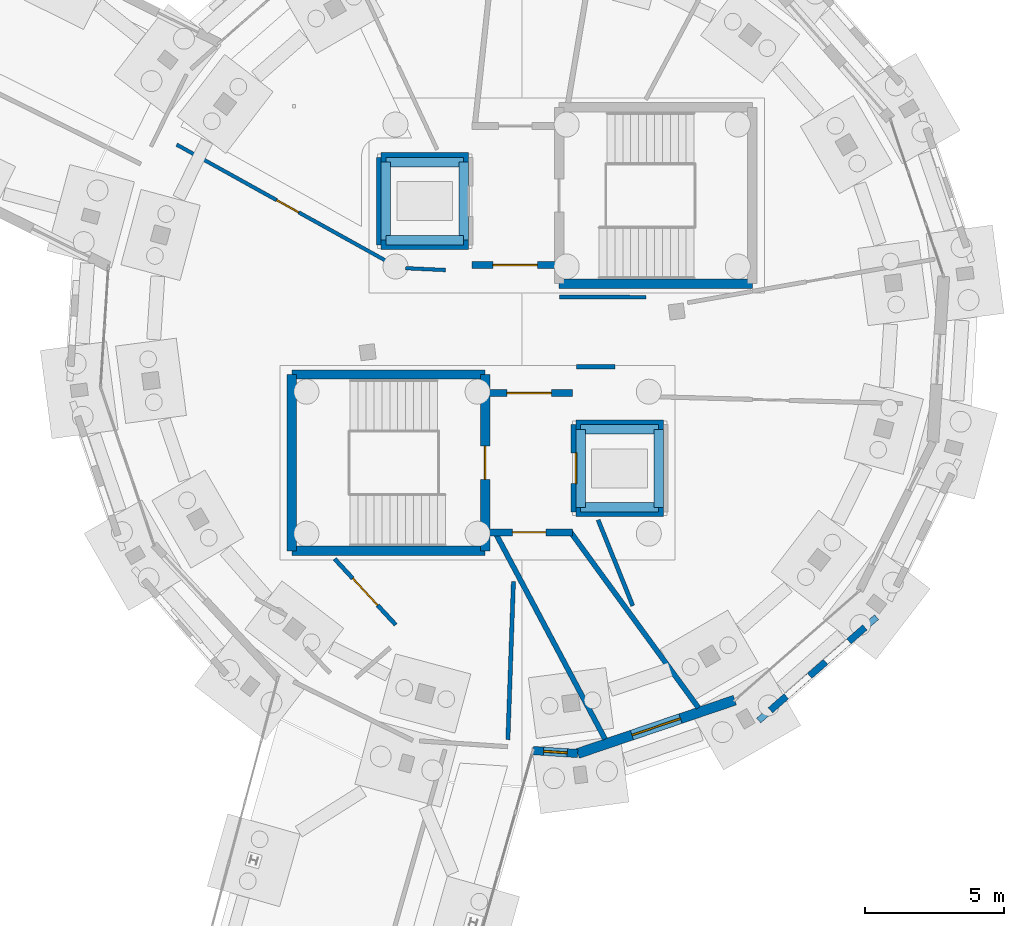
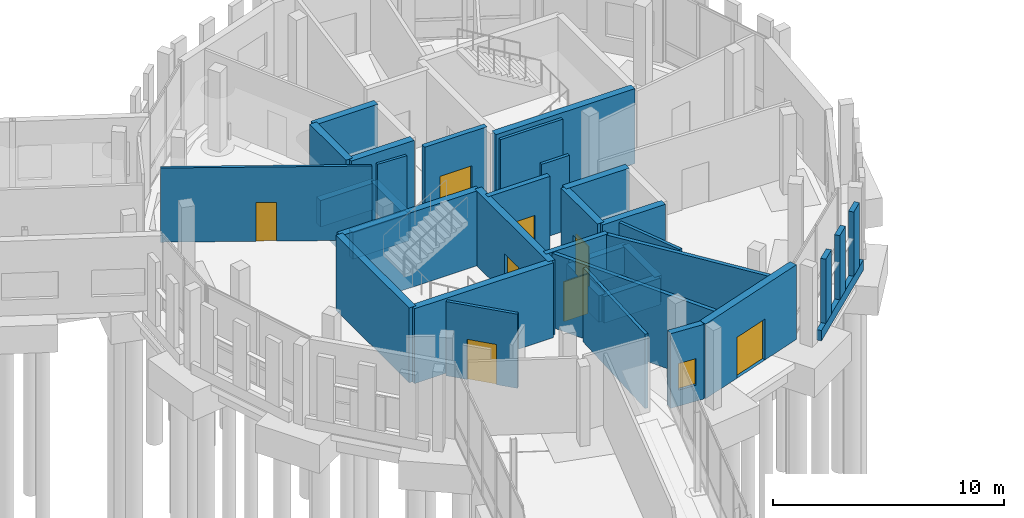
# One storey, part 93 of 113: 37 walls, 8 doors, 1 window, 9 openings.
"""IFC4 building model written with IfcOpenShell, lengths in metres."""

from ifc_helpers import new_model, si_unit, direction, frame, frame_2d, origin, place, context, subcontext, project, spatial, rectangle, extrude, material, layer, layer_set, type_object, element, fill, save


model = new_model("IFC4")

# Units and contexts
model_context = context("Model", 3, precision=1e-05, world=origin(), true_north=direction((0.0, 1.0)))
body_context = subcontext(model_context, "Body", "Model", "MODEL_VIEW")
ifc_project = project(units=[si_unit("LENGTHUNIT", "METRE"), si_unit("AREAUNIT", "SQUARE_METRE"), si_unit("VOLUMEUNIT", "CUBIC_METRE"), si_unit("PLANEANGLEUNIT", "RADIAN"), si_unit("MASSUNIT", "GRAM", prefix="KILO")], contexts=[model_context])

# Site, building, storey
site_placement = place(None, origin())
site = spatial("IfcSite", under=ifc_project, at=site_placement, CompositionType="ELEMENT")
building_placement = place(site_placement, origin())
building = spatial("IfcBuilding", under=site, at=building_placement, Name="Wrenclough Park School", CompositionType="ELEMENT")
storey_placement = place(building_placement, origin())
storey = spatial("IfcBuildingStorey", under=building, at=storey_placement, Name="L00", CompositionType="ELEMENT", Elevation=0.0)

# Walls
ifc_material_1 = material(Name="Perforated open-bond Staffordshire and Manchester brick screen pier", Category="masonry")
ifc_layer_1 = layer(ifc_material_1, 0.2451171875)
ifc_layer_set_1 = layer_set([ifc_layer_1], Name="Perforated open-bond Staffordshire and Manchester brick screen pier")
wall_type_1 = type_object("IfcWallType", Name="ENV-BS-PR245", PredefinedType="ELEMENTEDWALL", material=ifc_layer_set_1)
wall_1_placement = place(storey_placement, frame((183.418701171875, 79.906005859375, 0.550048828125), z_axis=(0.0, 0.0, 1.0), x_axis=(0.751859704857, 0.659323125798, 0.0)))
element("IfcWall", 1, at=wall_1_placement, inside=storey, type_object=wall_type_1, Name="D5 L00 perforated brick screen pier 0160", PredefinedType="ELEMENTEDWALL", context=body_context, shape_type="SweptSolid", body=[
    extrude(rectangle(XDim=0.759765625, YDim=0.2451171875, at=frame_2d((0.3798828125, 0.0))), origin(), (0.0, 0.0, 1.0), 3.389892578125),
])
wall_2_placement = place(storey_placement, frame((184.830078125, 81.143798828125, 0.550048828125), z_axis=(0.0, 0.0, 1.0), x_axis=(0.751840109951, 0.659345470196, 0.0)))
element("IfcWall", 2, at=wall_2_placement, inside=storey, type_object=wall_type_1, Name="D5 L00 perforated brick screen pier 0161", PredefinedType="ELEMENTEDWALL", context=body_context, shape_type="SweptSolid", body=[
    extrude(rectangle(XDim=0.76025390625, YDim=0.2451171875, at=frame_2d((0.380126953125, 0.0))), origin(), (0.0, 0.0, 1.0), 3.389892578125),
])
wall_3_placement = place(storey_placement, frame((186.24169921875, 82.381591796875, 0.550048828125), z_axis=(0.0, 0.0, 1.0), x_axis=(0.751700438565, 0.659504701015, 0.0)))
element("IfcWall", 3, at=wall_3_placement, inside=storey, type_object=wall_type_1, Name="D5 L00 perforated brick screen pier 0162", PredefinedType="ELEMENTEDWALL", context=body_context, shape_type="SweptSolid", body=[
    extrude(rectangle(XDim=0.760009765625, YDim=0.2451171875, at=frame_2d((0.3798828125, 0.0))), origin(), (0.0, 0.0, 1.0), 3.389892578125),
])
ifc_material_2 = material(Name="Open-bond Manchester multi-stock brick spandrel screen", Category="masonry")
ifc_layer_2 = layer(ifc_material_2, 0.22509765625)
ifc_layer_set_2 = layer_set([ifc_layer_2], Name="Open-bond Manchester multi-stock brick spandrel screen")
wall_type_2 = type_object("IfcWallType", Name="ENV-BS-SP225", PredefinedType="ELEMENTEDWALL", material=ifc_layer_set_2)
wall_4_placement = place(storey_placement, frame((182.998779296875, 79.53759765625, 0.0), z_axis=(0.0, 0.0, 1.0), x_axis=(0.751824330714, 0.659363462551, 0.0)))
element("IfcWall", 4, at=wall_4_placement, inside=storey, type_object=wall_type_2, Name="D5 L00 open-bond brick screen spandrel 0046", PredefinedType="ELEMENTEDWALL", context=body_context, shape_type="SweptSolid", body=[
    extrude(rectangle(XDim=5.632080078125, YDim=0.22509765625, at=frame_2d((2.81591796875, 0.0))), origin(), (0.0, 0.0, 1.0), 0.550048828125),
])

# Wall, opening, window
ifc_material_3 = material(Name="Manchester multi-stock brick and Concrete C32/40 inner leaf", Category="masonry")
ifc_layer_3 = layer(ifc_material_3, 0.300048828125)
ifc_layer_set_3 = layer_set([ifc_layer_3], Name="Manchester multi-stock brick and Concrete C32/40 inner leaf")
wall_type_3 = type_object("IfcWallType", Name="ENV-EW-300", PredefinedType="SOLIDWALL", material=ifc_layer_set_3)
wall_5_placement = place(storey_placement, frame((176.494140625, 78.35302734375, 0.0), z_axis=(0.0, 0.0, 1.0), x_axis=(-0.997862476256, 0.06534889808, 0.0)))
wall_5 = element("IfcWall", 5, at=wall_5_placement, inside=storey, type_object=wall_type_3, Name="L00 insulated brick external wall 0032", PredefinedType="SOLIDWALL", context=body_context, shape_type="SweptSolid", body=[
    extrude(rectangle(XDim=1.6064453125, YDim=0.300048828125, at=frame_2d((0.80322265625, 0.0))), origin(), (0.0, 0.0, 1.0), 3.93994140625),
])
opening_1_placement = place(wall_5_placement, frame((0.378173828125, 0.0, 0.85009765625)))
opening_1 = element("IfcOpeningElement", 6, at=opening_1_placement, cuts=wall_5, Name="Opening WN-01", PredefinedType="OPENING", context=body_context, shape_type="SweptSolid", body=[
    extrude(rectangle(XDim=0.85009765625, YDim=1.39990234375, at=frame_2d((0.425048828125, 0.699951171875))), frame((0.0, 0.159912109375, 0.0), z_axis=(0.0, -1.0, 0.0), x_axis=(1.0, 0.0, 0.0)), (0.0, 0.0, 1.0), 0.320068359375),
])
ifc_material_4 = material(Name="Thermally broken aluminium and double-glazed low-e glass", Category="aluminium")
window_type = type_object("IfcWindowType", Name="ENV-WN-01", PartitioningType="SINGLE_PANEL", PredefinedType="WINDOW", material=ifc_material_4)
window_placement = place(opening_1_placement, origin())
window = element("IfcWindow", 7, at=window_placement, inside=storey, type_object=window_type, Name="L00 scheduled facade window 0035", OverallHeight=1.39990234375, OverallWidth=0.85009765625, PartitioningType="SINGLE_PANEL", PredefinedType="WINDOW", context=body_context, shape_type="SweptSolid", body=[
    extrude(rectangle(XDim=0.85009765625, YDim=1.39990234375, at=frame_2d((0.425048828125, 0.699951171875))), frame((0.0, 0.030029296875, 0.0), z_axis=(0.0, -1.0, 0.0), x_axis=(1.0, 0.0, 0.0)), (0.0, 0.0, 1.0), 0.06005859375),
])
fill(opening_1, window)

# Wall, opening, door
ifc_material_5 = material(Name="Faceted courtyard brick-cavity wall Concrete C35/45", Category="masonry")
ifc_layer_4 = layer(ifc_material_5, 0.364990234375)
ifc_layer_set_4 = layer_set([ifc_layer_4], Name="Faceted courtyard brick-cavity wall Concrete C35/45")
wall_type_4 = type_object("IfcWallType", Name="ENV-EW-365", PredefinedType="SOLIDWALL", material=ifc_layer_set_4)
wall_6_placement = place(storey_placement, frame((182.138916015625, 80.26904296875, 0.0), z_axis=(0.0, 0.0, 1.0), x_axis=(-0.94693663561, -0.321420298269, 0.0)))
wall_6 = element("IfcWall", 8, at=wall_6_placement, inside=storey, type_object=wall_type_4, Name="L00 insulated brick external wall 0031", PredefinedType="SOLIDWALL", context=body_context, shape_type="SweptSolid", body=[
    extrude(rectangle(XDim=5.961181640625, YDim=0.364990234375, at=frame_2d((2.98046875, 0.0))), origin(), (0.0, 0.0, 1.0), 3.93994140625),
])
opening_2_placement = place(wall_6_placement, frame((2.060546875, 0.0, 0.0)))
opening_2 = element("IfcOpeningElement", 9, at=opening_2_placement, cuts=wall_6, Name="Opening EX-13", PredefinedType="OPENING", context=body_context, shape_type="SweptSolid", body=[
    extrude(rectangle(XDim=1.840087890625, YDim=2.159912109375, at=frame_2d((0.919921875, 1.080078125))), frame((0.0, 0.1923828125, 0.0), z_axis=(0.0, -1.0, 0.0), x_axis=(1.0, 0.0, 0.0)), (0.0, 0.0, 1.0), 0.385009765625),
])
ifc_material_6 = material(Name="Thermally broken powder-coated aluminium and laminated safety glass", Category="aluminium")
door_type_1 = type_object("IfcDoorType", Name="DR-EX184", OperationType="NOTDEFINED", PredefinedType="DOOR", material=ifc_material_6)
door_1_placement = place(opening_2_placement, origin())
door_1 = element("IfcDoor", 10, at=door_1_placement, inside=storey, type_object=door_type_1, Name="Pedestrian final exit door EX-13", OperationType="DOUBLE_DOOR_SINGLE_SWING", OverallHeight=2.159912109375, OverallWidth=1.840087890625, PredefinedType="DOOR", context=body_context, shape_type="SweptSolid", body=[
    extrude(rectangle(XDim=1.840087890625, YDim=2.159912109375, at=frame_2d((0.919921875, 1.080078125))), frame((0.0, 0.02490234375, 0.0), z_axis=(0.0, -1.0, 0.0), x_axis=(1.0, 0.0, 0.0)), (0.0, 0.0, 1.0), 0.050048828125),
])
fill(opening_2, door_1)

ifc_material_7 = material(Name="Concrete C35/45", Category="concrete")
ifc_layer_5 = layer(ifc_material_7, 0.25)
ifc_layer_set_5 = layer_set([ifc_layer_5], Name="Concrete C35/45")
wall_type_5 = type_object("IfcWallType", Name="INT-CW-250", PredefinedType="SHEAR", material=ifc_layer_set_5)
wall_7_placement = place(storey_placement, frame((173.199951171875, 86.300048828125, 0.0), z_axis=(0.0, 0.0, 1.0), x_axis=(1.0, 0.0, 0.0)))
wall_7 = element("IfcWall", 11, at=wall_7_placement, inside=storey, type_object=wall_type_5, Name="Core C5 L00 lobby fire wall south", PredefinedType="SHEAR", context=body_context, shape_type="SweptSolid", body=[
    extrude(rectangle(XDim=3.10009765625, YDim=0.25, at=frame_2d((1.550048828125, 0.0))), origin(), (0.0, 0.0, 1.0), 3.949951171875),
])
opening_3_placement = place(wall_7_placement, frame((0.949951171875, 0.0, 0.0)))
opening_3 = element("IfcOpeningElement", 12, at=opening_3_placement, cuts=wall_7, Name="Opening DEP-C5-L00", PredefinedType="OPENING", context=body_context, shape_type="SweptSolid", body=[
    extrude(rectangle(XDim=1.199951171875, YDim=2.10009765625, at=frame_2d((0.60009765625, 1.050048828125))), frame((0.0, 0.135009765625, 0.0), z_axis=(0.0, -1.0, 0.0), x_axis=(1.0, 0.0, 0.0)), (0.0, 0.0, 1.0), 0.27001953125),
])
ifc_material_8 = material(Name="Solid-core hardwood firefighting stair door assembly", Category="wood")
door_type_2 = type_object("IfcDoorType", Name="INT-DR-FF120", OperationType="NOTDEFINED", PredefinedType="DOOR", material=ifc_material_8)
door_2_placement = place(opening_3_placement, frame((1.199951171875, 0.0, 0.0), z_axis=(0.0, 0.0, 1.0), x_axis=(-1.0, 0.0, 0.0)))
door_2 = element("IfcDoor", 13, at=door_2_placement, inside=storey, type_object=door_type_2, Name="Core C5 L00 protected exit passageway fire door", OperationType="SINGLE_SWING_LEFT", OverallHeight=2.10009765625, OverallWidth=1.199951171875, PredefinedType="DOOR", context=body_context, shape_type="SweptSolid", body=[
    extrude(rectangle(XDim=1.199951171875, YDim=2.10009765625, at=frame_2d((0.60009765625, 1.050048828125))), frame((0.0, 0.02490234375, 0.0), z_axis=(0.0, -1.0, 0.0), x_axis=(1.0, 0.0, 0.0)), (0.0, 0.0, 1.0), 0.050048828125),
])
fill(opening_3, door_2)

wall_8_placement = place(storey_placement, frame((176.300048828125, 91.300048828125, 0.0), z_axis=(0.0, 0.0, 1.0), x_axis=(-1.0, 0.0, 0.0)))
wall_8 = element("IfcWall", 14, at=wall_8_placement, inside=storey, type_object=wall_type_5, Name="Core C5 L00 lobby fire wall north", PredefinedType="SHEAR", context=body_context, shape_type="SweptSolid", body=[
    extrude(rectangle(XDim=3.10009765625, YDim=0.25, at=frame_2d((1.550048828125, 0.0))), origin(), (0.0, 0.0, 1.0), 3.949951171875),
])
opening_4_placement = place(wall_8_placement, frame((0.75, 0.0, 0.0)))
opening_4 = element("IfcOpeningElement", 15, at=opening_4_placement, cuts=wall_8, Name="Opening DLB-C5-L00", PredefinedType="OPENING", context=body_context, shape_type="SweptSolid", body=[
    extrude(rectangle(XDim=1.60009765625, YDim=2.14990234375, at=frame_2d((0.800048828125, 1.074951171875))), frame((0.0, 0.135009765625, 0.0), z_axis=(0.0, -1.0, 0.0), x_axis=(1.0, 0.0, 0.0)), (0.0, 0.0, 1.0), 0.27001953125),
])
ifc_material_9 = material(Name="Double-leaf firefighting lobby door assembly", Category="wood")
door_type_3 = type_object("IfcDoorType", Name="INT-DR-FF160", OperationType="NOTDEFINED", PredefinedType="DOOR", material=ifc_material_9)
door_3_placement = place(opening_4_placement, frame((1.60009765625, 0.0, 0.0), z_axis=(0.0, 0.0, 1.0), x_axis=(-1.0, 0.0, 0.0)))
door_3 = element("IfcDoor", 16, at=door_3_placement, inside=storey, type_object=door_type_3, Name="Core C5 L00 protected lobby fire door", OperationType="DOUBLE_DOOR_SINGLE_SWING", OverallHeight=2.14990234375, OverallWidth=1.60009765625, PredefinedType="DOOR", context=body_context, shape_type="SweptSolid", body=[
    extrude(rectangle(XDim=1.60009765625, YDim=2.14990234375, at=frame_2d((0.800048828125, 1.074951171875))), frame((0.0, 0.02490234375, 0.0), z_axis=(0.0, -1.0, 0.0), x_axis=(1.0, 0.0, 0.0)), (0.0, 0.0, 1.0), 0.050048828125),
])
fill(opening_4, door_3)

wall_9_placement = place(storey_placement, frame((172.699951171875, 95.89990234375, 0.0), z_axis=(0.0, 0.0, 1.0), x_axis=(1.0, 0.0, 0.0)))
wall_9 = element("IfcWall", 17, at=wall_9_placement, inside=storey, type_object=wall_type_5, Name="Core C6 L00 lobby fire wall south", PredefinedType="SHEAR", context=body_context, shape_type="SweptSolid", body=[
    extrude(rectangle(XDim=3.10009765625, YDim=0.25, at=frame_2d((1.550048828125, 0.0))), origin(), (0.0, 0.0, 1.0), 3.949951171875),
])
opening_5_placement = place(wall_9_placement, frame((0.75, 0.0, 0.0)))
opening_5 = element("IfcOpeningElement", 18, at=opening_5_placement, cuts=wall_9, Name="Opening DLB-C6-L00", PredefinedType="OPENING", context=body_context, shape_type="SweptSolid", body=[
    extrude(rectangle(XDim=1.60009765625, YDim=2.14990234375, at=frame_2d((0.800048828125, 1.074951171875))), frame((0.0, 0.135009765625, 0.0), z_axis=(0.0, -1.0, 0.0), x_axis=(1.0, 0.0, 0.0)), (0.0, 0.0, 1.0), 0.27001953125),
])
door_4_placement = place(opening_5_placement, frame((1.60009765625, 0.0, 0.0), z_axis=(0.0, 0.0, 1.0), x_axis=(-1.0, 0.0, 0.0)))
door_4 = element("IfcDoor", 19, at=door_4_placement, inside=storey, type_object=door_type_3, Name="Core C6 L00 protected lobby fire door", OperationType="DOUBLE_DOOR_SINGLE_SWING", OverallHeight=2.14990234375, OverallWidth=1.60009765625, PredefinedType="DOOR", context=body_context, shape_type="SweptSolid", body=[
    extrude(rectangle(XDim=1.60009765625, YDim=2.14990234375, at=frame_2d((0.800048828125, 1.074951171875))), frame((0.0, 0.02490234375, 0.0), z_axis=(0.0, -1.0, 0.0), x_axis=(1.0, 0.0, 0.0)), (0.0, 0.0, 1.0), 0.050048828125),
])
fill(opening_5, door_4)

# Walls
ifc_material_10 = material(Name="Concrete C40/50", Category="concrete")
ifc_layer_6 = layer(ifc_material_10, 0.340087890625)
ifc_layer_set_6 = layer_set([ifc_layer_6], Name="Concrete C40/50")
wall_type_6 = type_object("IfcWallType", Name="INT-CW-340", PredefinedType="SHEAR", material=ifc_layer_set_6)
wall_10_placement = place(storey_placement, frame((176.60009765625, 87.199951171875, -1.39990234375), z_axis=(0.0, 0.0, 1.0), x_axis=(1.0, 0.0, 0.0)))
element("IfcWall", 20, at=wall_10_placement, inside=storey, type_object=wall_type_6, Name="Lift LFT-01 concrete pit wall 1", PredefinedType="SHEAR", context=body_context, shape_type="SweptSolid", body=[
    extrude(rectangle(XDim=2.7998046875, YDim=0.340087890625, at=frame_2d((1.39990234375, 0.0))), origin(), (0.0, 0.0, 1.0), 1.39990234375),
])
wall_11_placement = place(storey_placement, frame((179.39990234375, 87.199951171875, -1.39990234375), z_axis=(0.0, 0.0, 1.0), x_axis=(0.0, 1.0, 0.0)))
element("IfcWall", 21, at=wall_11_placement, inside=storey, type_object=wall_type_6, Name="Lift LFT-01 concrete pit wall 2", PredefinedType="SHEAR", context=body_context, shape_type="SweptSolid", body=[
    extrude(rectangle(XDim=2.800048828125, YDim=0.340087890625, at=frame_2d((1.39990234375, 0.0))), origin(), (0.0, 0.0, 1.0), 1.39990234375),
])
wall_12_placement = place(storey_placement, frame((179.39990234375, 90.0, -1.39990234375), z_axis=(0.0, 0.0, 1.0), x_axis=(-1.0, 0.0, 0.0)))
element("IfcWall", 22, at=wall_12_placement, inside=storey, type_object=wall_type_6, Name="Lift LFT-01 concrete pit wall 3", PredefinedType="SHEAR", context=body_context, shape_type="SweptSolid", body=[
    extrude(rectangle(XDim=2.7998046875, YDim=0.340087890625, at=frame_2d((1.39990234375, 0.0))), origin(), (0.0, 0.0, 1.0), 1.39990234375),
])
wall_13_placement = place(storey_placement, frame((176.60009765625, 90.0, -1.39990234375), z_axis=(0.0, 0.0, 1.0), x_axis=(0.0, -1.0, 0.0)))
element("IfcWall", 23, at=wall_13_placement, inside=storey, type_object=wall_type_6, Name="Lift LFT-01 concrete pit wall 4", PredefinedType="SHEAR", context=body_context, shape_type="SweptSolid", body=[
    extrude(rectangle(XDim=2.800048828125, YDim=0.340087890625, at=frame_2d((1.39990234375, 0.0))), origin(), (0.0, 0.0, 1.0), 1.39990234375),
])
wall_14_placement = place(storey_placement, frame((166.22998046875, 85.6298828125, 0.0), z_axis=(0.0, 0.0, 1.0), x_axis=(1.0, 0.0, 0.0)))
element("IfcWall", 24, at=wall_14_placement, inside=storey, type_object=wall_type_6, Name="Core C5 L00 south shear wall", PredefinedType="SHEAR", context=body_context, shape_type="SweptSolid", body=[
    extrude(rectangle(XDim=6.93994140625, YDim=0.340087890625, at=frame_2d((3.469970703125, 0.0))), origin(), (0.0, 0.0, 1.0), 3.949951171875),
])

# Wall, opening, door
wall_15_placement = place(storey_placement, frame((173.169921875, 85.6298828125, 0.0), z_axis=(0.0, 0.0, 1.0), x_axis=(0.0, 1.0, 0.0)))
wall_15 = element("IfcWall", 25, at=wall_15_placement, inside=storey, type_object=wall_type_6, Name="Core C5 L00 east shear wall", PredefinedType="SHEAR", context=body_context, shape_type="SweptSolid", body=[
    extrude(rectangle(XDim=6.340087890625, YDim=0.340087890625, at=frame_2d((3.169921875, 0.0))), origin(), (0.0, 0.0, 1.0), 3.949951171875),
])
opening_6_placement = place(wall_15_placement, frame((2.570068359375, 0.0, 0.0)))
opening_6 = element("IfcOpeningElement", 26, at=opening_6_placement, cuts=wall_15, Name="Opening DST-C5-L00", PredefinedType="OPENING", context=body_context, shape_type="SweptSolid", body=[
    extrude(rectangle(XDim=1.199951171875, YDim=2.10009765625, at=frame_2d((0.60009765625, 1.050048828125))), frame((0.0, 0.179931640625, 0.0), z_axis=(0.0, -1.0, 0.0), x_axis=(1.0, 0.0, 0.0)), (0.0, 0.0, 1.0), 0.360107421875),
])
door_5_placement = place(opening_6_placement, frame((1.199951171875, 0.0, 0.0), z_axis=(0.0, 0.0, 1.0), x_axis=(-1.0, 0.0, 0.0)))
door_5 = element("IfcDoor", 27, at=door_5_placement, inside=storey, type_object=door_type_2, Name="Stair ST-05 L00 fire door", OperationType="SINGLE_SWING_LEFT", OverallHeight=2.10009765625, OverallWidth=1.199951171875, PredefinedType="DOOR", context=body_context, shape_type="SweptSolid", body=[
    extrude(rectangle(XDim=1.199951171875, YDim=2.10009765625, at=frame_2d((0.60009765625, 1.050048828125))), frame((0.0, 0.02490234375, 0.0), z_axis=(0.0, -1.0, 0.0), x_axis=(1.0, 0.0, 0.0)), (0.0, 0.0, 1.0), 0.050048828125),
])
fill(opening_6, door_5)

# Walls
wall_16_placement = place(storey_placement, frame((173.169921875, 91.969970703125, 0.0), z_axis=(0.0, 0.0, 1.0), x_axis=(-1.0, 0.0, 0.0)))
element("IfcWall", 28, at=wall_16_placement, inside=storey, type_object=wall_type_6, Name="Core C5 L00 north shear wall", PredefinedType="SHEAR", context=body_context, shape_type="SweptSolid", body=[
    extrude(rectangle(XDim=6.93994140625, YDim=0.340087890625, at=frame_2d((3.469970703125, 0.0))), origin(), (0.0, 0.0, 1.0), 3.949951171875),
])
wall_17_placement = place(storey_placement, frame((166.22998046875, 91.969970703125, 0.0), z_axis=(0.0, 0.0, 1.0), x_axis=(0.0, -1.0, 0.0)))
element("IfcWall", 29, at=wall_17_placement, inside=storey, type_object=wall_type_6, Name="Core C5 L00 west shear wall", PredefinedType="SHEAR", context=body_context, shape_type="SweptSolid", body=[
    extrude(rectangle(XDim=6.340087890625, YDim=0.340087890625, at=frame_2d((3.169921875, 0.0))), origin(), (0.0, 0.0, 1.0), 3.949951171875),
])
for number, where, z_axis, x_axis, name in (
    (30, (176.429931640625, 87.030029296875, 0.0), (0.0, 0.0, 1.0), (1.0, 0.0, 0.0), "Lift LFT-01 L00 south shaft wall"),
    (31, (179.570068359375, 90.169921875, 0.0), (0.0, 0.0, 1.0), (-1.0, 0.0, 0.0), "Lift LFT-01 L00 north shaft wall"),
):
    element("IfcWall", number, at=place(storey_placement, frame(where, z_axis=z_axis, x_axis=x_axis)), inside=storey, type_object=wall_type_6, Name=name, PredefinedType="SHEAR", context=body_context, shape_type="SweptSolid", body=[
        extrude(rectangle(XDim=3.14013671875, YDim=0.340087890625, at=frame_2d((1.570068359375, 0.0))), origin(), (0.0, 0.0, 1.0), 3.949951171875),
    ])

# Wall, opening, door
wall_18_placement = place(storey_placement, frame((176.429931640625, 90.169921875, 0.0), z_axis=(0.0, 0.0, 1.0), x_axis=(0.0, -1.0, 0.0)))
wall_18 = element("IfcWall", 32, at=wall_18_placement, inside=storey, type_object=wall_type_6, Name="Lift LFT-01 L00 west shaft wall", PredefinedType="SHEAR", context=body_context, shape_type="SweptSolid", body=[
    extrude(rectangle(XDim=3.139892578125, YDim=0.340087890625, at=frame_2d((1.56982421875, 0.0))), origin(), (0.0, 0.0, 1.0), 3.949951171875),
])
opening_7_placement = place(wall_18_placement, frame((1.02001953125, 0.0, 0.0)))
opening_7 = element("IfcOpeningElement", 33, at=opening_7_placement, cuts=wall_18, Name="Opening LD-01-L00", PredefinedType="OPENING", context=body_context, shape_type="SweptSolid", body=[
    extrude(rectangle(XDim=1.10009765625, YDim=2.10009765625, at=frame_2d((0.550048828125, 1.050048828125))), frame((0.0, 0.179931640625, 0.0), z_axis=(0.0, -1.0, 0.0), x_axis=(1.0, 0.0, 0.0)), (0.0, 0.0, 1.0), 0.360107421875),
])
ifc_material_11 = material(Name="Brushed stainless steel", Category="steel")
door_type_4 = type_object("IfcDoorType", Name="INT-DR-LD110", OperationType="NOTDEFINED", PredefinedType="DOOR", material=ifc_material_11)
door_6_placement = place(opening_7_placement, frame((1.10009765625, 0.0, 0.0), z_axis=(0.0, 0.0, 1.0), x_axis=(-1.0, 0.0, 0.0)))
door_6 = element("IfcDoor", 34, at=door_6_placement, inside=storey, type_object=door_type_4, Name="Lift LFT-01 L00 sliding landing door", OperationType="DOUBLE_DOOR_SLIDING", OverallHeight=2.10009765625, OverallWidth=1.10009765625, PredefinedType="DOOR", context=body_context, shape_type="SweptSolid", body=[
    extrude(rectangle(XDim=1.10009765625, YDim=2.10009765625, at=frame_2d((0.550048828125, 1.050048828125))), frame((0.0, 0.02490234375, 0.0), z_axis=(0.0, -1.0, 0.0), x_axis=(1.0, 0.0, 0.0)), (0.0, 0.0, 1.0), 0.050048828125),
])
fill(opening_7, door_6)

# Walls
wall_19_placement = place(storey_placement, frame((169.60009765625, 96.800048828125, -1.39990234375), z_axis=(0.0, 0.0, 1.0), x_axis=(1.0, 0.0, 0.0)))
element("IfcWall", 35, at=wall_19_placement, inside=storey, type_object=wall_type_6, Name="Lift LFT-02 concrete pit wall 1", PredefinedType="SHEAR", context=body_context, shape_type="SweptSolid", body=[
    extrude(rectangle(XDim=2.7998046875, YDim=0.340087890625, at=frame_2d((1.39990234375, 0.0))), origin(), (0.0, 0.0, 1.0), 1.39990234375),
])
wall_20_placement = place(storey_placement, frame((172.39990234375, 96.800048828125, -1.39990234375), z_axis=(0.0, 0.0, 1.0), x_axis=(0.0, 1.0, 0.0)))
element("IfcWall", 36, at=wall_20_placement, inside=storey, type_object=wall_type_6, Name="Lift LFT-02 concrete pit wall 2", PredefinedType="SHEAR", context=body_context, shape_type="SweptSolid", body=[
    extrude(rectangle(XDim=2.800048828125, YDim=0.340087890625, at=frame_2d((1.39990234375, 0.0))), origin(), (0.0, 0.0, 1.0), 1.39990234375),
])
wall_21_placement = place(storey_placement, frame((172.39990234375, 99.60009765625, -1.39990234375), z_axis=(0.0, 0.0, 1.0), x_axis=(-1.0, 0.0, 0.0)))
element("IfcWall", 37, at=wall_21_placement, inside=storey, type_object=wall_type_6, Name="Lift LFT-02 concrete pit wall 3", PredefinedType="SHEAR", context=body_context, shape_type="SweptSolid", body=[
    extrude(rectangle(XDim=2.7998046875, YDim=0.340087890625, at=frame_2d((1.39990234375, 0.0))), origin(), (0.0, 0.0, 1.0), 1.39990234375),
])
wall_22_placement = place(storey_placement, frame((169.60009765625, 99.60009765625, -1.39990234375), z_axis=(0.0, 0.0, 1.0), x_axis=(0.0, -1.0, 0.0)))
element("IfcWall", 38, at=wall_22_placement, inside=storey, type_object=wall_type_6, Name="Lift LFT-02 concrete pit wall 4", PredefinedType="SHEAR", context=body_context, shape_type="SweptSolid", body=[
    extrude(rectangle(XDim=2.800048828125, YDim=0.340087890625, at=frame_2d((1.39990234375, 0.0))), origin(), (0.0, 0.0, 1.0), 1.39990234375),
])
wall_23_placement = place(storey_placement, frame((175.830078125, 95.22998046875, 0.0), z_axis=(0.0, 0.0, 1.0), x_axis=(1.0, 0.0, 0.0)))
element("IfcWall", 39, at=wall_23_placement, inside=storey, type_object=wall_type_6, Name="Core C6 L00 south shear wall", PredefinedType="SHEAR", context=body_context, shape_type="SweptSolid", body=[
    extrude(rectangle(XDim=6.93994140625, YDim=0.340087890625, at=frame_2d((3.469970703125, 0.0))), origin(), (0.0, 0.0, 1.0), 3.949951171875),
])
for number, where, z_axis, x_axis, name in (
    (40, (169.429931640625, 96.6298828125, 0.0), (0.0, 0.0, 1.0), (1.0, 0.0, 0.0), "Lift LFT-02 L00 south shaft wall"),
    (41, (172.570068359375, 99.77001953125, 0.0), (0.0, 0.0, 1.0), (-1.0, 0.0, 0.0), "Lift LFT-02 L00 north shaft wall"),
    (42, (169.429931640625, 99.77001953125, 0.0), (0.0, 0.0, 1.0), (0.0, -1.0, 0.0), "Lift LFT-02 L00 west shaft wall"),
):
    element("IfcWall", number, at=place(storey_placement, frame(where, z_axis=z_axis, x_axis=x_axis)), inside=storey, type_object=wall_type_6, Name=name, PredefinedType="SHEAR", context=body_context, shape_type="SweptSolid", body=[
        extrude(rectangle(XDim=3.14013671875, YDim=0.340087890625, at=frame_2d((1.570068359375, 0.0))), origin(), (0.0, 0.0, 1.0), 3.949951171875),
    ])

# Wall, opening, door
ifc_material_12 = material(Name="Standard fire-rated room partition", Category="gypsum")
ifc_layer_7 = layer(ifc_material_12, 0.1298828125)
ifc_layer_set_7 = layer_set([ifc_layer_7], Name="Standard fire-rated room partition")
wall_type_7 = type_object("IfcWallType", Name="INT-PW-130", PredefinedType="PARTITIONING", material=ifc_layer_set_7)
wall_24_placement = place(storey_placement, frame((162.08740234375, 100.227783203125, 0.0), z_axis=(0.0, 0.0, 1.0), x_axis=(0.874404504476, -0.485197653077, 0.0)))
wall_24 = element("IfcWall", 43, at=wall_24_placement, inside=storey, type_object=wall_type_7, Name="L00 internal partition 0117", PredefinedType="PARTITIONING", context=body_context, shape_type="SweptSolid", body=[
    extrude(rectangle(XDim=9.125732421875, YDim=0.1298828125, at=frame_2d((4.56298828125, 0.0))), origin(), (0.0, 0.0, 1.0), 3.9150390625),
])
opening_8_placement = place(wall_24_placement, frame((4.11279296875, 0.0, 0.0)))
opening_8 = element("IfcOpeningElement", 44, at=opening_8_placement, cuts=wall_24, Name="Opening DR-L00-017", PredefinedType="OPENING", context=body_context, shape_type="SweptSolid", body=[
    extrude(rectangle(XDim=0.89990234375, YDim=2.050048828125, at=frame_2d((0.449951171875, 1.02490234375))), frame((0.0, 0.074951171875, 0.0), z_axis=(0.0, -1.0, 0.0), x_axis=(1.0, 0.0, 0.0)), (0.0, 0.0, 1.0), 0.14990234375),
])
ifc_material_13 = material(Name="Staff office fire-rated timber door assembly", Category="wood")
door_type_5 = type_object("IfcDoorType", Name="INT-DR-OFF090", OperationType="NOTDEFINED", PredefinedType="DOOR", material=ifc_material_13)
door_7_placement = place(opening_8_placement, origin())
door_7 = element("IfcDoor", 45, at=door_7_placement, inside=storey, type_object=door_type_5, Name="Main Reception and Administration Office door DR-L00-017", OperationType="SINGLE_SWING_RIGHT", OverallHeight=2.050048828125, OverallWidth=0.89990234375, PredefinedType="DOOR", context=body_context, shape_type="SweptSolid", body=[
    extrude(rectangle(XDim=0.89990234375, YDim=2.050048828125, at=frame_2d((0.449951171875, 1.02490234375))), frame((0.0, 0.02490234375, 0.0), z_axis=(0.0, -1.0, 0.0), x_axis=(1.0, 0.0, 0.0)), (0.0, 0.0, 1.0), 0.050048828125),
])
fill(opening_8, door_7)

# Walls
wall_25_placement = place(storey_placement, frame((170.31640625, 95.788330078125, 0.0), z_axis=(0.0, 0.0, 1.0), x_axis=(0.998914369118, -0.046584151481, 0.0)))
element("IfcWall", 46, at=wall_25_placement, inside=storey, type_object=wall_type_7, Name="L00 internal partition 0118", PredefinedType="PARTITIONING", context=body_context, shape_type="SweptSolid", body=[
    extrude(rectangle(XDim=1.4306640625, YDim=0.1298828125, at=frame_2d((0.71533203125, 0.0))), origin(), (0.0, 0.0, 1.0), 3.9150390625),
])
ifc_material_14 = material(Name="Protected corridor partition", Category="gypsum")
ifc_layer_8 = layer(ifc_material_14, 0.14990234375)
ifc_layer_set_8 = layer_set([ifc_layer_8], Name="Protected corridor partition")
wall_type_8 = type_object("IfcWallType", Name="INT-PW-150", PredefinedType="PARTITIONING", material=ifc_layer_set_8)
wall_26_placement = place(storey_placement, frame((177.229248046875, 86.7451171875, 0.0), z_axis=(0.0, 0.0, 1.0), x_axis=(0.37456373842, -0.927201167957, 0.0)))
element("IfcWall", 47, at=wall_26_placement, inside=storey, type_object=wall_type_8, Name="L00 internal partition 0119", PredefinedType="PARTITIONING", context=body_context, shape_type="SweptSolid", body=[
    extrude(rectangle(XDim=3.327392578125, YDim=0.14990234375, at=frame_2d((1.66357421875, 0.0))), origin(), (0.0, 0.0, 1.0), 3.9150390625),
])
wall_27_placement = place(storey_placement, frame((177.83642578125, 92.25, 0.0), z_axis=(0.0, 0.0, 1.0), x_axis=(-1.0, 0.0, 0.0)))
element("IfcWall", 48, at=wall_27_placement, inside=storey, type_object=wall_type_8, Name="L00 internal partition 0121", PredefinedType="PARTITIONING", context=body_context, shape_type="SweptSolid", body=[
    extrude(rectangle(XDim=1.385009765625, YDim=0.14990234375, at=frame_2d((0.6923828125, 0.0))), origin(), (0.0, 0.0, 1.0), 3.9150390625),
])
wall_28_placement = place(storey_placement, frame((173.98828125, 78.847900390625, 0.0), z_axis=(0.0, 0.0, 1.0), x_axis=(0.034928377701, 0.999389818055, 0.0)))
element("IfcWall", 49, at=wall_28_placement, inside=storey, type_object=wall_type_8, Name="L00 internal partition 0129", PredefinedType="PARTITIONING", context=body_context, shape_type="SweptSolid", body=[
    extrude(rectangle(XDim=5.6826171875, YDim=0.14990234375, at=frame_2d((2.84130859375, 0.0))), origin(), (0.0, 0.0, 1.0), 3.9150390625),
])

# Wall, opening, door
wall_29_placement = place(storey_placement, frame((167.763427734375, 85.344970703125, 0.0), z_axis=(0.0, 0.0, 1.0), x_axis=(0.679478896711, -0.733695051724, 0.0)))
wall_29 = element("IfcWall", 50, at=wall_29_placement, inside=storey, type_object=wall_type_8, Name="L00 internal partition 0130", PredefinedType="PARTITIONING", context=body_context, shape_type="SweptSolid", body=[
    extrude(rectangle(XDim=3.228759765625, YDim=0.14990234375, at=frame_2d((1.6142578125, 0.0))), origin(), (0.0, 0.0, 1.0), 3.9150390625),
])
opening_9_placement = place(wall_29_placement, frame((0.954345703125, 0.0, 0.0)))
opening_9 = element("IfcOpeningElement", 51, at=opening_9_placement, cuts=wall_29, Name="Opening DR-L00-021", PredefinedType="OPENING", context=body_context, shape_type="SweptSolid", body=[
    extrude(rectangle(XDim=1.320068359375, YDim=2.1201171875, at=frame_2d((0.66015625, 1.06005859375))), frame((0.0, 0.0849609375, 0.0), z_axis=(0.0, -1.0, 0.0), x_axis=(1.0, 0.0, 0.0)), (0.0, 0.0, 1.0), 0.169921875),
])
ifc_material_15 = material(Name="Internal plant and switchroom fire door assembly", Category="wood")
door_type_6 = type_object("IfcDoorType", Name="INT-DR-PLT132", OperationType="NOTDEFINED", PredefinedType="DOOR", material=ifc_material_15)
door_8_placement = place(opening_9_placement, origin())
door_8 = element("IfcDoor", 52, at=door_8_placement, inside=storey, type_object=door_type_6, Name="Main Electrical Switchroom and Plant door DR-L00-021", OperationType="SINGLE_SWING_RIGHT", OverallHeight=2.1201171875, OverallWidth=1.320068359375, PredefinedType="DOOR", context=body_context, shape_type="SweptSolid", body=[
    extrude(rectangle(XDim=1.320068359375, YDim=2.1201171875, at=frame_2d((0.66015625, 1.06005859375))), frame((0.0, 0.02490234375, 0.0), z_axis=(0.0, -1.0, 0.0), x_axis=(1.0, 0.0, 0.0)), (0.0, 0.0, 1.0), 0.050048828125),
])
fill(opening_9, door_8)

# Walls
ifc_material_16 = material(Name="Laboratory fire and acoustic partition", Category="gypsum")
ifc_layer_9 = layer(ifc_material_16, 0.18505859375)
ifc_layer_set_9 = layer_set([ifc_layer_9], Name="Laboratory fire and acoustic partition")
wall_type_9 = type_object("IfcWallType", Name="INT-PW-185", PredefinedType="PARTITIONING", material=ifc_layer_set_9)
wall_30_placement = place(storey_placement, frame((180.833984375, 79.996826171875, 0.0), z_axis=(0.0, 0.0, 1.0), x_axis=(-0.588660691672, 0.808380226181, 0.0)))
element("IfcWall", 53, at=wall_30_placement, inside=storey, type_object=wall_type_9, Name="L00 protected exit passageway EI 60 wall 0017", PredefinedType="PARTITIONING", context=body_context, shape_type="SweptSolid", body=[
    extrude(rectangle(XDim=7.805908203125, YDim=0.18505859375, at=frame_2d((3.90283203125, 0.0))), origin(), (0.0, 0.0, 1.0), 3.9150390625),
])
wall_31_placement = place(storey_placement, frame((173.574462890625, 86.210205078125, 0.0), z_axis=(0.0, 0.0, 1.0), x_axis=(0.469691859779, -0.882830423613, 0.0)))
element("IfcWall", 54, at=wall_31_placement, inside=storey, type_object=wall_type_9, Name="L00 protected exit passageway EI 60 wall 0018", PredefinedType="PARTITIONING", context=body_context, shape_type="SweptSolid", body=[
    extrude(rectangle(XDim=8.314453125, YDim=0.18505859375, at=frame_2d((4.1572265625, 0.0))), origin(), (0.0, 0.0, 1.0), 3.9150390625),
])
ifc_material_17 = material(Name="Moisture-resistant sanitary service wall", Category="gypsum")
ifc_layer_10 = layer(ifc_material_17, 0.139892578125)
ifc_layer_set_10 = layer_set([ifc_layer_10], Name="Moisture-resistant sanitary service wall")
wall_type_10 = type_object("IfcWallType", Name="INT-SV-140", PredefinedType="PLUMBINGWALL", material=ifc_layer_set_10)
wall_32_placement = place(storey_placement, frame((175.85009765625, 94.75, 0.0), z_axis=(0.0, 0.0, 1.0), x_axis=(0.999999108177, -0.001335531844, 0.0)))
element("IfcWall", 55, at=wall_32_placement, inside=storey, type_object=wall_type_10, Name="L00 internal partition 0125", PredefinedType="PLUMBINGWALL", context=body_context, shape_type="SweptSolid", body=[
    extrude(rectangle(XDim=3.107666015625, YDim=0.139892578125, at=frame_2d((1.5537109375, 0.0))), origin(), (0.0, 0.0, 1.0), 3.9150390625),
])

save(model, "model.ifc")
